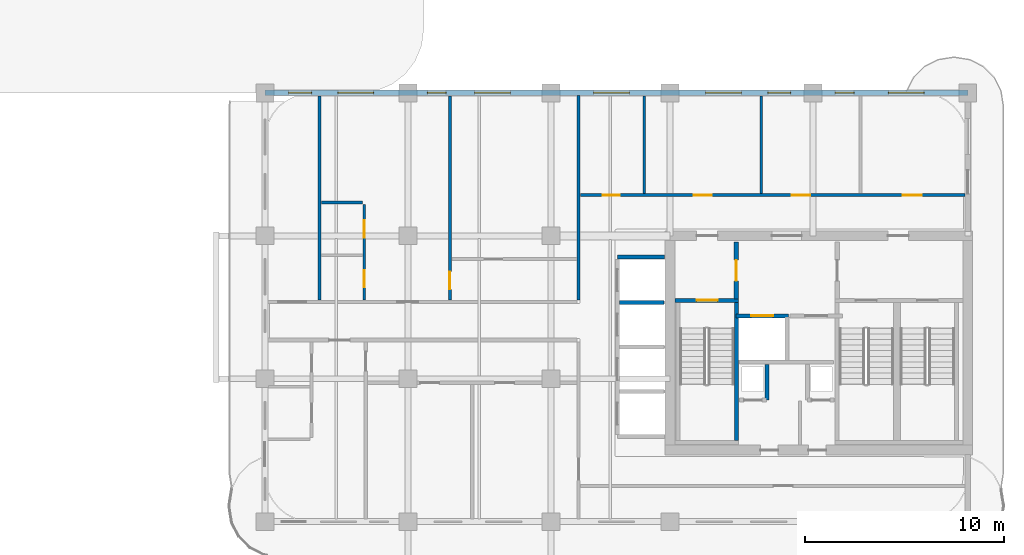
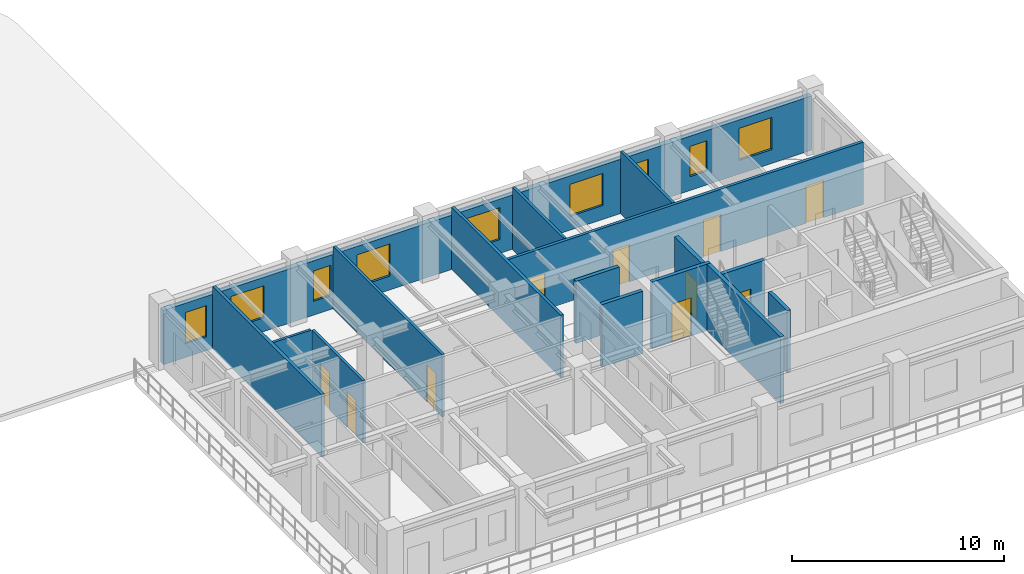
# One storey, part 4 of 8: 16 walls, 10 doors, 9 windows, 19 openings.
"""IFC4 building model written with IfcOpenShell, lengths in metres."""

from ifc_helpers import new_model, si_unit, derived_unit, direction, frame, frame_2d, origin, place, context, subcontext, project, spatial, rectangle, extrude, source, transform, mapped, material, layer, layer_set, type_object, type_shapes, element, fill, save


model = new_model("IFC4")

# Units and contexts
model_context = context("Model", 3, precision=1e-05, world=origin(), true_north=direction((0.0, 1.0)))
body_context = subcontext(model_context, "Body", "Model", "MODEL_VIEW")
ifc_project = project(units=[si_unit("LENGTHUNIT", "METRE"), si_unit("AREAUNIT", "SQUARE_METRE"), si_unit("VOLUMEUNIT", "CUBIC_METRE"), si_unit("PLANEANGLEUNIT", "RADIAN"), si_unit("MASSUNIT", "GRAM", prefix="KILO"), si_unit("THERMODYNAMICTEMPERATUREUNIT", "KELVIN"), si_unit("POWERUNIT", "WATT"), derived_unit("THERMALTRANSMITTANCEUNIT", [(si_unit("POWERUNIT", "WATT"), 1), (si_unit("AREAUNIT", "SQUARE_METRE"), -1), (si_unit("THERMODYNAMICTEMPERATUREUNIT", "KELVIN"), -1)])], contexts=[model_context])

# Site, building, storey
site_placement = place(None, origin())
site = spatial("IfcSite", under=ifc_project, at=site_placement, CompositionType="ELEMENT")
building_placement = place(site_placement, origin())
building = spatial("IfcBuilding", under=site, at=building_placement, Name="Zahravan Archway Hotel and Residences", CompositionType="ELEMENT")
storey_placement = place(building_placement, frame((0.0, 0.0, 213.449951171875)))
storey = spatial("IfcBuildingStorey", under=building, at=storey_placement, Name="L53", CompositionType="ELEMENT", Elevation=213.449951171875)

# Wall, openings, windows
ifc_material_1 = material(Name="Honed Red-Ochre Sandstone & Insulated Block", Category="masonry")
ifc_layer_1 = layer(ifc_material_1, 0.280029296875, Name="Honed Red-Ochre Sandstone & Insulated Block", Category="masonry")
ifc_layer_set_1 = layer_set([ifc_layer_1], Name="Honed Red-Ochre Sandstone & Insulated Block")
wall_type_1 = type_object("IfcWallType", Name="EW-LOG-280", PredefinedType="SOLIDWALL", material=ifc_layer_set_1)
wall_1_placement = place(storey_placement, frame((14.39990234375, 21.60009765625, 0.0), z_axis=(0.0, 0.0, 1.0), x_axis=(1.0, 0.0, 0.0)))
wall_1 = element("IfcWall", 1, at=wall_1_placement, inside=storey, type_object=wall_type_1, Name="L53 Exterior Sandstone Wall WA-N", PredefinedType="SOLIDWALL", context=body_context, shape_type="SweptSolid", body=[
    extrude(rectangle(XDim=35.400146484375, YDim=0.280029296875, at=frame_2d((17.7001953125, 0.0))), origin(), (0.0, 0.0, 1.0), 3.135009765625),
])
opening_1_placement = place(wall_1_placement, frame((1.196044921875, 0.0, 0.800048828125)))
opening_1 = element("IfcOpeningElement", 2, at=opening_1_placement, cuts=wall_1, Name="Opening W-05", PredefinedType="OPENING", context=body_context, shape_type="SweptSolid", body=[
    extrude(rectangle(XDim=1.14990234375, YDim=1.800048828125, at=frame_2d((0.574951171875, 0.89990234375))), frame((0.0, 0.14990234375, 0.0), z_axis=(0.0, -1.0, 0.0), x_axis=(1.0, 0.0, 0.0)), (0.0, 0.0, 1.0), 0.300048828125),
])
opening_2_placement = place(wall_1_placement, frame((3.678955078125, 0.0, 0.800048828125)))
opening_2 = element("IfcOpeningElement", 3, at=opening_2_placement, cuts=wall_1, Name="Opening W-02", PredefinedType="OPENING", context=body_context, shape_type="SweptSolid", body=[
    extrude(rectangle(XDim=1.800048828125, YDim=1.85009765625, at=frame_2d((0.89990234375, 0.925048828125))), frame((0.0, 0.14990234375, 0.0), z_axis=(0.0, -1.0, 0.0), x_axis=(1.0, 0.0, 0.0)), (0.0, 0.0, 1.0), 0.300048828125),
])
opening_3_placement = place(wall_1_placement, frame((8.180908203125, 0.0, 0.800048828125)))
opening_3 = element("IfcOpeningElement", 4, at=opening_3_placement, cuts=wall_1, Name="Opening W-04", PredefinedType="OPENING", context=body_context, shape_type="SweptSolid", body=[
    extrude(rectangle(XDim=0.949951171875, YDim=1.75, at=frame_2d((0.47509765625, 0.875))), frame((0.0, 0.14990234375, 0.0), z_axis=(0.0, -1.0, 0.0), x_axis=(1.0, 0.0, 0.0)), (0.0, 0.0, 1.0), 0.300048828125),
])
opening_4_placement = place(wall_1_placement, frame((10.56396484375, 0.0, 0.800048828125)))
opening_4 = element("IfcOpeningElement", 5, at=opening_4_placement, cuts=wall_1, Name="Opening W-02", PredefinedType="OPENING", context=body_context, shape_type="SweptSolid", body=[
    extrude(rectangle(XDim=1.800048828125, YDim=1.85009765625, at=frame_2d((0.89990234375, 0.925048828125))), frame((0.0, 0.14990234375, 0.0), z_axis=(0.0, -1.0, 0.0), x_axis=(1.0, 0.0, 0.0)), (0.0, 0.0, 1.0), 0.300048828125),
])
opening_5_placement = place(wall_1_placement, frame((16.551025390625, 0.0, 0.800048828125)))
opening_5 = element("IfcOpeningElement", 6, at=opening_5_placement, cuts=wall_1, Name="Opening W-02", PredefinedType="OPENING", context=body_context, shape_type="SweptSolid", body=[
    extrude(rectangle(XDim=1.800048828125, YDim=1.85009765625, at=frame_2d((0.89990234375, 0.925048828125))), frame((0.0, 0.14990234375, 0.0), z_axis=(0.0, -1.0, 0.0), x_axis=(1.0, 0.0, 0.0)), (0.0, 0.0, 1.0), 0.300048828125),
])
opening_6_placement = place(wall_1_placement, frame((22.196044921875, 0.0, 0.800048828125)))
opening_6 = element("IfcOpeningElement", 7, at=opening_6_placement, cuts=wall_1, Name="Opening W-02", PredefinedType="OPENING", context=body_context, shape_type="SweptSolid", body=[
    extrude(rectangle(XDim=1.800048828125, YDim=1.85009765625, at=frame_2d((0.89990234375, 0.925048828125))), frame((0.0, 0.14990234375, 0.0), z_axis=(0.0, -1.0, 0.0), x_axis=(1.0, 0.0, 0.0)), (0.0, 0.0, 1.0), 0.300048828125),
])
opening_7_placement = place(wall_1_placement, frame((25.3291015625, 0.0, 0.800048828125)))
opening_7 = element("IfcOpeningElement", 8, at=opening_7_placement, cuts=wall_1, Name="Opening W-05", PredefinedType="OPENING", context=body_context, shape_type="SweptSolid", body=[
    extrude(rectangle(XDim=1.14990234375, YDim=1.800048828125, at=frame_2d((0.574951171875, 0.89990234375))), frame((0.0, 0.14990234375, 0.0), z_axis=(0.0, -1.0, 0.0), x_axis=(1.0, 0.0, 0.0)), (0.0, 0.0, 1.0), 0.300048828125),
])
opening_8_placement = place(wall_1_placement, frame((28.720947265625, 0.0, 0.800048828125)))
opening_8 = element("IfcOpeningElement", 9, at=opening_8_placement, cuts=wall_1, Name="Opening W-04", PredefinedType="OPENING", context=body_context, shape_type="SweptSolid", body=[
    extrude(rectangle(XDim=0.949951171875, YDim=1.75, at=frame_2d((0.47509765625, 0.875))), frame((0.0, 0.14990234375, 0.0), z_axis=(0.0, -1.0, 0.0), x_axis=(1.0, 0.0, 0.0)), (0.0, 0.0, 1.0), 0.300048828125),
])
opening_9_placement = place(wall_1_placement, frame((31.404052734375, 0.0, 0.800048828125)))
opening_9 = element("IfcOpeningElement", 10, at=opening_9_placement, cuts=wall_1, Name="Opening W-02", PredefinedType="OPENING", context=body_context, shape_type="SweptSolid", body=[
    extrude(rectangle(XDim=1.800048828125, YDim=1.85009765625, at=frame_2d((0.89990234375, 0.925048828125))), frame((0.0, 0.14990234375, 0.0), z_axis=(0.0, -1.0, 0.0), x_axis=(1.0, 0.0, 0.0)), (0.0, 0.0, 1.0), 0.300048828125),
])
ifc_material_2 = material(Name="Bronze-Anodized Thermal-Break Aluminium & Low-E Glass", Category="aluminium")
window_type_1 = type_object("IfcWindowType", Name="WIN-NAR-950", PartitioningType="SINGLE_PANEL", PredefinedType="WINDOW", material=ifc_material_2)
shared_shape_1 = source(origin(), body_context, "Body", "SweptSolid", [
    extrude(rectangle(XDim=0.949951171875, YDim=1.75, at=frame_2d((0.47509765625, 0.875))), frame((0.0, 0.030029296875, 0.0), z_axis=(0.0, -1.0, 0.0), x_axis=(1.0, 0.0, 0.0)), (0.0, 0.0, 1.0), 0.06005859375),
])
type_shapes(window_type_1, [shared_shape_1])
window_1_placement = place(opening_3_placement, origin())
window_1 = element("IfcWindow", 11, at=window_1_placement, inside=storey, type_object=window_type_1, Name="L53 Loggia Window 13", OverallHeight=1.75, OverallWidth=0.949951171875, PartitioningType="SINGLE_PANEL", PredefinedType="WINDOW", context=body_context, shape_type="MappedRepresentation", body=[
    mapped(shared_shape_1, transform((0.0, 0.0, 0.0), scale=1.0)),
])
fill(opening_3, window_1)
window_2_placement = place(opening_8_placement, origin())
window_2 = element("IfcWindow", 12, at=window_2_placement, inside=storey, type_object=window_type_1, Name="L53 Loggia Window 18", OverallHeight=1.75, OverallWidth=0.949951171875, PartitioningType="SINGLE_PANEL", PredefinedType="WINDOW", context=body_context, shape_type="MappedRepresentation", body=[
    mapped(shared_shape_1, transform((0.0, 0.0, 0.0), scale=1.0)),
])
fill(opening_8, window_2)
window_type_2 = type_object("IfcWindowType", Name="WIN-TWR-1800", PartitioningType="DOUBLE_PANEL_VERTICAL", PredefinedType="WINDOW", material=ifc_material_2)
shared_shape_2 = source(origin(), body_context, "Body", "SweptSolid", [
    extrude(rectangle(XDim=1.800048828125, YDim=1.85009765625, at=frame_2d((0.89990234375, 0.925048828125))), frame((0.0, 0.030029296875, 0.0), z_axis=(0.0, -1.0, 0.0), x_axis=(1.0, 0.0, 0.0)), (0.0, 0.0, 1.0), 0.06005859375),
])
type_shapes(window_type_2, [shared_shape_2])
window_3_placement = place(opening_2_placement, origin())
window_3 = element("IfcWindow", 13, at=window_3_placement, inside=storey, type_object=window_type_2, Name="L53 Loggia Window 12", OverallHeight=1.85009765625, OverallWidth=1.800048828125, PartitioningType="DOUBLE_PANEL_VERTICAL", PredefinedType="WINDOW", context=body_context, shape_type="MappedRepresentation", body=[
    mapped(shared_shape_2, transform((0.0, 0.0, 0.0), scale=1.0)),
])
fill(opening_2, window_3)
window_4_placement = place(opening_4_placement, origin())
window_4 = element("IfcWindow", 14, at=window_4_placement, inside=storey, type_object=window_type_2, Name="L53 Loggia Window 14", OverallHeight=1.85009765625, OverallWidth=1.800048828125, PartitioningType="DOUBLE_PANEL_VERTICAL", PredefinedType="WINDOW", context=body_context, shape_type="MappedRepresentation", body=[
    mapped(shared_shape_2, transform((0.0, 0.0, 0.0), scale=1.0)),
])
fill(opening_4, window_4)
window_5_placement = place(opening_5_placement, origin())
window_5 = element("IfcWindow", 15, at=window_5_placement, inside=storey, type_object=window_type_2, Name="L53 Loggia Window 15", OverallHeight=1.85009765625, OverallWidth=1.800048828125, PartitioningType="DOUBLE_PANEL_VERTICAL", PredefinedType="WINDOW", context=body_context, shape_type="MappedRepresentation", body=[
    mapped(shared_shape_2, transform((0.0, 0.0, 0.0), scale=1.0)),
])
fill(opening_5, window_5)
window_6_placement = place(opening_6_placement, origin())
window_6 = element("IfcWindow", 16, at=window_6_placement, inside=storey, type_object=window_type_2, Name="L53 Loggia Window 16", OverallHeight=1.85009765625, OverallWidth=1.800048828125, PartitioningType="DOUBLE_PANEL_VERTICAL", PredefinedType="WINDOW", context=body_context, shape_type="MappedRepresentation", body=[
    mapped(shared_shape_2, transform((0.0, 0.0, 0.0), scale=1.0)),
])
fill(opening_6, window_6)
window_7_placement = place(opening_9_placement, origin())
window_7 = element("IfcWindow", 17, at=window_7_placement, inside=storey, type_object=window_type_2, Name="L53 Loggia Window 19", OverallHeight=1.85009765625, OverallWidth=1.800048828125, PartitioningType="DOUBLE_PANEL_VERTICAL", PredefinedType="WINDOW", context=body_context, shape_type="MappedRepresentation", body=[
    mapped(shared_shape_2, transform((0.0, 0.0, 0.0), scale=1.0)),
])
fill(opening_9, window_7)
window_type_3 = type_object("IfcWindowType", Name="WIN-TWR-1150", PartitioningType="SINGLE_PANEL", PredefinedType="WINDOW", material=ifc_material_2)
shared_shape_3 = source(origin(), body_context, "Body", "SweptSolid", [
    extrude(rectangle(XDim=1.14990234375, YDim=1.800048828125, at=frame_2d((0.574951171875, 0.89990234375))), frame((0.0, 0.030029296875, 0.0), z_axis=(0.0, -1.0, 0.0), x_axis=(1.0, 0.0, 0.0)), (0.0, 0.0, 1.0), 0.06005859375),
])
type_shapes(window_type_3, [shared_shape_3])
window_8_placement = place(opening_1_placement, origin())
window_8 = element("IfcWindow", 18, at=window_8_placement, inside=storey, type_object=window_type_3, Name="L53 Loggia Window 11", OverallHeight=1.800048828125, OverallWidth=1.14990234375, PartitioningType="SINGLE_PANEL", PredefinedType="WINDOW", context=body_context, shape_type="MappedRepresentation", body=[
    mapped(shared_shape_3, transform((0.0, 0.0, 0.0), scale=1.0)),
])
fill(opening_1, window_8)
window_9_placement = place(opening_7_placement, origin())
window_9 = element("IfcWindow", 19, at=window_9_placement, inside=storey, type_object=window_type_3, Name="L53 Loggia Window 17", OverallHeight=1.800048828125, OverallWidth=1.14990234375, PartitioningType="SINGLE_PANEL", PredefinedType="WINDOW", context=body_context, shape_type="MappedRepresentation", body=[
    mapped(shared_shape_3, transform((0.0, 0.0, 0.0), scale=1.0)),
])
fill(opening_7, window_9)

# Wall, opening, door
ifc_material_3 = material(Name="Fire-Rated Gypsum & Concrete Block", Category="concrete")
ifc_layer_2 = layer(ifc_material_3, 0.219970703125, Name="Fire-Rated Gypsum & Concrete Block", Category="concrete")
ifc_layer_set_2 = layer_set([ifc_layer_2], Name="Fire-Rated Gypsum & Concrete Block")
wall_type_2 = type_object("IfcWallType", Name="PW-COMP-220", PredefinedType="PARTITIONING", material=ifc_layer_set_2)
wall_2_placement = place(storey_placement, frame((38.139892578125, 11.219970703125, 0.0), z_axis=(0.0, 0.0, 1.0), x_axis=(0.0, 1.0, 0.0)))
wall_2 = element("IfcWall", 20, at=wall_2_placement, inside=storey, type_object=wall_type_2, Name="L53 Partition CA-LOBW", PredefinedType="PARTITIONING", context=body_context, shape_type="SweptSolid", body=[
    extrude(rectangle(XDim=2.860107421875, YDim=0.219970703125, at=frame_2d((1.43017578125, 0.0))), origin(), (0.0, 0.0, 1.0), 3.60009765625),
])
opening_10_placement = place(wall_2_placement, frame((0.905029296875, 0.0, 0.0)))
opening_10 = element("IfcOpeningElement", 21, at=opening_10_placement, cuts=wall_2, Name="Opening FD-L2", PredefinedType="OPENING", context=body_context, shape_type="SweptSolid", body=[
    extrude(rectangle(XDim=1.050048828125, YDim=2.14990234375, at=frame_2d((0.52490234375, 1.074951171875))), frame((0.0, 0.1201171875, 0.0), z_axis=(0.0, -1.0, 0.0), x_axis=(1.0, 0.0, 0.0)), (0.0, 0.0, 1.0), 0.239990234375),
])
ifc_material_4 = material(Name="Fire-Rated Painted Steel", Category="steel")
door_type_1 = type_object("IfcDoorType", Name="FD-LOBBY-1100", OperationType="NOTDEFINED", PredefinedType="DOOR", material=ifc_material_4)
shared_shape_4 = source(origin(), body_context, "Body", "SweptSolid", [
    extrude(rectangle(XDim=1.050048828125, YDim=2.14990234375, at=frame_2d((0.52490234375, 1.074951171875))), frame((0.0, 0.02490234375, 0.0), z_axis=(0.0, -1.0, 0.0), x_axis=(1.0, 0.0, 0.0)), (0.0, 0.0, 1.0), 0.050048828125),
])
type_shapes(door_type_1, [shared_shape_4])
door_1_placement = place(opening_10_placement, origin())
door_1 = element("IfcDoor", 22, at=door_1_placement, inside=storey, type_object=door_type_1, Name="L53 Core A West Stair to FSAE Lobby Door", OperationType="SINGLE_SWING_LEFT", OverallHeight=2.14990234375, OverallWidth=1.050048828125, PredefinedType="DOOR", context=body_context, shape_type="MappedRepresentation", body=[
    mapped(shared_shape_4, transform((0.0, 0.0, 0.0), scale=1.0)),
])
fill(opening_10, door_1)

# Wall
ifc_layer_3 = layer(ifc_material_3, 0.159912109375, Name="Fire-Rated Gypsum & Concrete Block", Category="concrete")
ifc_layer_set_3 = layer_set([ifc_layer_3], Name="Fire-Rated Gypsum & Concrete Block")
wall_type_3 = type_object("IfcWallType", Name="PW-CORR-160", PredefinedType="PARTITIONING", material=ifc_layer_set_3)
wall_3_placement = place(storey_placement, frame((30.199951171875, 11.159912109375, 0.0), z_axis=(0.0, 0.0, 1.0), x_axis=(0.0, 1.0, 0.0)))
element("IfcWall", 23, at=wall_3_placement, inside=storey, type_object=wall_type_3, Name="L53 Partition WA-FW", PredefinedType="PARTITIONING", context=body_context, shape_type="SweptSolid", body=[
    extrude(rectangle(XDim=10.300048828125, YDim=0.159912109375, at=frame_2d((5.14990234375, 0.0))), origin(), (0.0, 0.0, 1.0), 3.60009765625),
])

# Wall, openings, doors
wall_4_placement = place(storey_placement, frame((30.2900390625, 16.449951171875, 0.0), z_axis=(0.0, 0.0, 1.0), x_axis=(1.0, 0.0, 0.0)))
wall_4 = element("IfcWall", 24, at=wall_4_placement, inside=storey, type_object=wall_type_3, Name="L53 Partition WA-FN", PredefinedType="PARTITIONING", context=body_context, shape_type="SweptSolid", body=[
    extrude(rectangle(XDim=19.369873046875, YDim=0.159912109375, at=frame_2d((9.68505859375, 0.0))), origin(), (0.0, 0.0, 1.0), 3.60009765625),
])
opening_11_placement = place(wall_4_placement, frame((1.135009765625, 0.0, 0.0)))
opening_11 = element("IfcOpeningElement", 25, at=opening_11_placement, cuts=wall_4, Name="Opening D-B1", PredefinedType="OPENING", context=body_context, shape_type="SweptSolid", body=[
    extrude(rectangle(XDim=0.85009765625, YDim=2.10009765625, at=frame_2d((0.425048828125, 1.050048828125))), frame((0.0, 0.08984375, 0.0), z_axis=(0.0, -1.0, 0.0), x_axis=(1.0, 0.0, 0.0)), (0.0, 0.0, 1.0), 0.179931640625),
])
opening_12_placement = place(wall_4_placement, frame((5.7099609375, 0.0, 0.0)))
opening_12 = element("IfcOpeningElement", 26, at=opening_12_placement, cuts=wall_4, Name="Opening D-I2", PredefinedType="OPENING", context=body_context, shape_type="SweptSolid", body=[
    extrude(rectangle(XDim=0.89990234375, YDim=2.14990234375, at=frame_2d((0.449951171875, 1.074951171875))), frame((0.0, 0.08984375, 0.0), z_axis=(0.0, -1.0, 0.0), x_axis=(1.0, 0.0, 0.0)), (0.0, 0.0, 1.0), 0.179931640625),
])
opening_13_placement = place(wall_4_placement, frame((10.635009765625, 0.0, 0.0)))
opening_13 = element("IfcOpeningElement", 27, at=opening_13_placement, cuts=wall_4, Name="Opening D-I1", PredefinedType="OPENING", context=body_context, shape_type="SweptSolid", body=[
    extrude(rectangle(XDim=0.949951171875, YDim=2.14990234375, at=frame_2d((0.47509765625, 1.074951171875))), frame((0.0, 0.08984375, 0.0), z_axis=(0.0, -1.0, 0.0), x_axis=(1.0, 0.0, 0.0)), (0.0, 0.0, 1.0), 0.179931640625),
])
opening_14_placement = place(wall_4_placement, frame((16.235107421875, 0.0, 0.0)))
opening_14 = element("IfcOpeningElement", 28, at=opening_14_placement, cuts=wall_4, Name="Opening D-I1", PredefinedType="OPENING", context=body_context, shape_type="SweptSolid", body=[
    extrude(rectangle(XDim=0.949951171875, YDim=2.14990234375, at=frame_2d((0.47509765625, 1.074951171875))), frame((0.0, 0.08984375, 0.0), z_axis=(0.0, -1.0, 0.0), x_axis=(1.0, 0.0, 0.0)), (0.0, 0.0, 1.0), 0.179931640625),
])
ifc_material_5 = material(Name="Hardwood Veneer Timber", Category="wood")
door_type_2 = type_object("IfcDoorType", Name="ID-BATH-850", OperationType="NOTDEFINED", PredefinedType="DOOR", material=ifc_material_5)
shared_shape_5 = source(origin(), body_context, "Body", "SweptSolid", [
    extrude(rectangle(XDim=0.85009765625, YDim=2.10009765625, at=frame_2d((0.425048828125, 1.050048828125))), frame((0.0, 0.02490234375, 0.0), z_axis=(0.0, -1.0, 0.0), x_axis=(1.0, 0.0, 0.0)), (0.0, 0.0, 1.0), 0.050048828125),
])
type_shapes(door_type_2, [shared_shape_5])
door_2_placement = place(opening_11_placement, origin())
door_2 = element("IfcDoor", 29, at=door_2_placement, inside=storey, type_object=door_type_2, Name="L53 Accessible WC Door", OperationType="SINGLE_SWING_LEFT", OverallHeight=2.10009765625, OverallWidth=0.85009765625, PredefinedType="DOOR", context=body_context, shape_type="MappedRepresentation", body=[
    mapped(shared_shape_5, transform((0.0, 0.0, 0.0), scale=1.0)),
])
fill(opening_11, door_2)
door_type_3 = type_object("IfcDoorType", Name="ID-INT-950", OperationType="NOTDEFINED", PredefinedType="DOOR", material=ifc_material_5)
shared_shape_6 = source(origin(), body_context, "Body", "SweptSolid", [
    extrude(rectangle(XDim=0.949951171875, YDim=2.14990234375, at=frame_2d((0.47509765625, 1.074951171875))), frame((0.0, 0.02490234375, 0.0), z_axis=(0.0, -1.0, 0.0), x_axis=(1.0, 0.0, 0.0)), (0.0, 0.0, 1.0), 0.050048828125),
])
type_shapes(door_type_3, [shared_shape_6])
door_3_placement = place(opening_13_placement, origin())
door_3 = element("IfcDoor", 30, at=door_3_placement, inside=storey, type_object=door_type_3, Name="L53 Boardroom Door", OperationType="SINGLE_SWING_LEFT", OverallHeight=2.14990234375, OverallWidth=0.949951171875, PredefinedType="DOOR", context=body_context, shape_type="MappedRepresentation", body=[
    mapped(shared_shape_6, transform((0.0, 0.0, 0.0), scale=1.0)),
])
fill(opening_13, door_3)
door_4_placement = place(opening_14_placement, origin())
door_4 = element("IfcDoor", 31, at=door_4_placement, inside=storey, type_object=door_type_3, Name="L53 Therapy Clinic Door", OperationType="SINGLE_SWING_RIGHT", OverallHeight=2.14990234375, OverallWidth=0.949951171875, PredefinedType="DOOR", context=body_context, shape_type="MappedRepresentation", body=[
    mapped(shared_shape_6, transform((0.0, 0.0, 0.0), scale=1.0)),
])
fill(opening_14, door_4)
door_type_4 = type_object("IfcDoorType", Name="ID-INT-900", OperationType="NOTDEFINED", PredefinedType="DOOR", material=ifc_material_5)
shared_shape_7 = source(origin(), body_context, "Body", "SweptSolid", [
    extrude(rectangle(XDim=0.89990234375, YDim=2.14990234375, at=frame_2d((0.449951171875, 1.074951171875))), frame((0.0, 0.02490234375, 0.0), z_axis=(0.0, -1.0, 0.0), x_axis=(1.0, 0.0, 0.0)), (0.0, 0.0, 1.0), 0.050048828125),
])
type_shapes(door_type_4, [shared_shape_7])
door_5_placement = place(opening_12_placement, origin())
door_5 = element("IfcDoor", 32, at=door_5_placement, inside=storey, type_object=door_type_4, Name="L53 Pantry Door", OperationType="SINGLE_SWING_RIGHT", OverallHeight=2.14990234375, OverallWidth=0.89990234375, PredefinedType="DOOR", context=body_context, shape_type="MappedRepresentation", body=[
    mapped(shared_shape_7, transform((0.0, 0.0, 0.0), scale=1.0)),
])
fill(opening_12, door_5)

# Walls
ifc_layer_4 = layer(ifc_material_3, 0.199951171875, Name="Fire-Rated Gypsum & Concrete Block", Category="concrete")
ifc_layer_set_4 = layer_set([ifc_layer_4], Name="Fire-Rated Gypsum & Concrete Block")
wall_type_4 = type_object("IfcWallType", Name="PW-SHAFT-200", PredefinedType="PARTITIONING", material=ifc_layer_set_4)
wall_5_placement = place(storey_placement, frame((39.679931640625, 6.1298828125, 0.0), z_axis=(0.0, 0.0, 1.0), x_axis=(0.0, 1.0, 0.0)))
element("IfcWall", 33, at=wall_5_placement, inside=storey, type_object=wall_type_4, Name="L53 Partition CA-SMKE", PredefinedType="PARTITIONING", context=body_context, shape_type="SweptSolid", body=[
    extrude(rectangle(XDim=1.7900390625, YDim=0.199951171875, at=frame_2d((0.89501953125, 0.0))), origin(), (0.0, 0.0, 1.0), 3.60009765625),
])
wall_6_placement = place(storey_placement, frame((32.159912109375, 13.320068359375, 0.0), z_axis=(0.0, 0.0, 1.0), x_axis=(1.0, 0.0, 0.0)))
element("IfcWall", 34, at=wall_6_placement, inside=storey, type_object=wall_type_4, Name="L53 Partition B3-N", PredefinedType="PARTITIONING", context=body_context, shape_type="SweptSolid", body=[
    extrude(rectangle(XDim=2.360107421875, YDim=0.199951171875, at=frame_2d((1.18017578125, 0.0))), origin(), (0.0, 0.0, 1.0), 3.60009765625),
])
wall_7_placement = place(storey_placement, frame((32.260009765625, 11.0400390625, 0.0), z_axis=(0.0, 0.0, 1.0), x_axis=(1.0, 0.0, 0.0)))
element("IfcWall", 35, at=wall_7_placement, inside=storey, type_object=wall_type_4, Name="L53 Partition B3-D", PredefinedType="PARTITIONING", context=body_context, shape_type="SweptSolid", body=[
    extrude(rectangle(XDim=2.22998046875, YDim=0.199951171875, at=frame_2d((1.114990234375, 0.0))), origin(), (0.0, 0.0, 1.0), 3.60009765625),
])

# Wall, opening, door
wall_8_placement = place(storey_placement, frame((38.1201171875, 10.3701171875, 0.0), z_axis=(0.0, 0.0, 1.0), x_axis=(1.0, 0.0, 0.0)))
wall_8 = element("IfcWall", 36, at=wall_8_placement, inside=storey, type_object=wall_type_4, Name="L53 Lift FL-1 Front Wall", PredefinedType="PARTITIONING", context=body_context, shape_type="SweptSolid", body=[
    extrude(rectangle(XDim=2.639892578125, YDim=0.199951171875, at=frame_2d((1.31982421875, 0.0))), origin(), (0.0, 0.0, 1.0), 3.60009765625),
])
opening_15_placement = place(wall_8_placement, frame((0.77001953125, 0.0, 0.0)))
opening_15 = element("IfcOpeningElement", 37, at=opening_15_placement, cuts=wall_8, Name="Opening LD", PredefinedType="OPENING", context=body_context, shape_type="SweptSolid", body=[
    extrude(rectangle(XDim=1.10009765625, YDim=2.199951171875, at=frame_2d((0.550048828125, 1.10009765625))), frame((0.0, 0.10986328125, 0.0), z_axis=(0.0, -1.0, 0.0), x_axis=(1.0, 0.0, 0.0)), (0.0, 0.0, 1.0), 0.219970703125),
])
ifc_material_6 = material(Name="Brushed Stainless Steel", Category="steel")
door_type_5 = type_object("IfcDoorType", Name="DR-LIFT-LD", OperationType="SLIDING_TO_LEFT", PredefinedType="DOOR", material=ifc_material_6)
shared_shape_8 = source(origin(), body_context, "Body", "SweptSolid", [
    extrude(rectangle(XDim=1.10009765625, YDim=2.199951171875, at=frame_2d((0.550048828125, 1.10009765625))), frame((0.0, 0.02490234375, 0.0), z_axis=(0.0, -1.0, 0.0), x_axis=(1.0, 0.0, 0.0)), (0.0, 0.0, 1.0), 0.050048828125),
])
type_shapes(door_type_5, [shared_shape_8])
door_6_placement = place(opening_15_placement, origin())
door_6 = element("IfcDoor", 38, at=door_6_placement, inside=storey, type_object=door_type_5, Name="L53 Lift FL-1 Sliding Landing Door", OperationType="SLIDING_TO_LEFT", OverallHeight=2.199951171875, OverallWidth=1.10009765625, PredefinedType="DOOR", context=body_context, shape_type="MappedRepresentation", body=[
    mapped(shared_shape_8, transform((0.0, 0.0, 0.0), scale=1.0)),
])
fill(opening_15, door_6)

ifc_material_7 = material(Name="Acoustic Stud Partition")
ifc_layer_5 = layer(ifc_material_7, 0.14990234375, Name="Acoustic Stud Partition")
ifc_layer_set_5 = layer_set([ifc_layer_5], Name="Acoustic Stud Partition")
wall_type_5 = type_object("IfcWallType", Name="PW-UNIT-150", PredefinedType="PARTITIONING", material=ifc_layer_set_5)
wall_9_placement = place(storey_placement, frame((23.719970703125, 11.159912109375, 0.0), z_axis=(0.0, 0.0, 1.0), x_axis=(0.0, 1.0, 0.0)))
wall_9 = element("IfcWall", 39, at=wall_9_placement, inside=storey, type_object=wall_type_5, Name="L53 Partition FL-N1-SP", PredefinedType="PARTITIONING", context=body_context, shape_type="SweptSolid", body=[
    extrude(rectangle(XDim=10.2919921875, YDim=0.14990234375, at=frame_2d((5.14599609375, 0.0))), origin(), (0.0, 0.0, 1.0), 3.60009765625),
])
opening_16_placement = place(wall_9_placement, frame((0.534912109375, 0.0, 0.0)))
opening_16 = element("IfcOpeningElement", 40, at=opening_16_placement, cuts=wall_9, Name="Opening D-I2", PredefinedType="OPENING", context=body_context, shape_type="SweptSolid", body=[
    extrude(rectangle(XDim=0.89990234375, YDim=2.14990234375, at=frame_2d((0.449951171875, 1.074951171875))), frame((0.0, 0.0849609375, 0.0), z_axis=(0.0, -1.0, 0.0), x_axis=(1.0, 0.0, 0.0)), (0.0, 0.0, 1.0), 0.169921875),
])
door_7_placement = place(opening_16_placement, origin())
door_7 = element("IfcDoor", 41, at=door_7_placement, inside=storey, type_object=door_type_4, Name="L53 Flat N1 Bedroom Hall Door", OperationType="SINGLE_SWING_RIGHT", OverallHeight=2.14990234375, OverallWidth=0.89990234375, PredefinedType="DOOR", context=body_context, shape_type="MappedRepresentation", body=[
    mapped(shared_shape_7, transform((0.0, 0.0, 0.0), scale=1.0)),
])
fill(opening_16, door_7)

# Walls
ifc_layer_6 = layer(ifc_material_7, 0.169921875, Name="Acoustic Stud Partition")
ifc_layer_set_6 = layer_set([ifc_layer_6], Name="Acoustic Stud Partition")
wall_type_6 = type_object("IfcWallType", Name="PW-UNIT-170", PredefinedType="PARTITIONING", material=ifc_layer_set_6)
wall_10_placement = place(storey_placement, frame((17.14990234375, 11.159912109375, 0.0), z_axis=(0.0, 0.0, 1.0), x_axis=(0.0, 1.0, 0.0)))
element("IfcWall", 42, at=wall_10_placement, inside=storey, type_object=wall_type_6, Name="L53 Partition WAN-N1", PredefinedType="PARTITIONING", context=body_context, shape_type="SweptSolid", body=[
    extrude(rectangle(XDim=10.2919921875, YDim=0.169921875, at=frame_2d((5.14599609375, 0.0))), origin(), (0.0, 0.0, 1.0), 3.60009765625),
])
ifc_material_8 = material(Name="Moisture-Resistant Blockwork", Category="masonry")
ifc_layer_7 = layer(ifc_material_8, 0.139892578125, Name="Moisture-Resistant Blockwork", Category="masonry")
ifc_layer_set_7 = layer_set([ifc_layer_7], Name="Moisture-Resistant Blockwork")
wall_type_7 = type_object("IfcWallType", Name="PW-WET-140", PredefinedType="PARTITIONING", material=ifc_layer_set_7)
for number, where, z_axis, x_axis, name in (
    (43, (33.5, 16.5400390625, 0.0), (0.0, 0.0, 1.0), (0.0, 1.0, 0.0), "L53 Partition NE2-1"),
    (44, (39.39990234375, 16.5400390625, 0.0), (0.0, 0.0, 1.0), (0.0, 1.0, 0.0), "L53 Partition NE2-2"),
):
    element("IfcWall", number, at=place(storey_placement, frame(where, z_axis=z_axis, x_axis=x_axis)), inside=storey, type_object=wall_type_7, Name=name, PredefinedType="PARTITIONING", context=body_context, shape_type="SweptSolid", body=[
        extrude(rectangle(XDim=4.911865234375, YDim=0.139892578125, at=frame_2d((2.4560546875, 0.0))), origin(), (0.0, 0.0, 1.0), 3.60009765625),
    ])

# Wall, openings, doors
wall_11_placement = place(storey_placement, frame((19.39990234375, 11.159912109375, 0.0), z_axis=(0.0, 0.0, 1.0), x_axis=(0.0, 1.0, 0.0)))
wall_11 = element("IfcWall", 45, at=wall_11_placement, inside=storey, type_object=wall_type_7, Name="L53 Partition FL-N1-BV", PredefinedType="PARTITIONING", context=body_context, shape_type="SweptSolid", body=[
    extrude(rectangle(XDim=4.820068359375, YDim=0.139892578125, at=frame_2d((2.41015625, 0.0))), origin(), (0.0, 0.0, 1.0), 3.60009765625),
])
opening_17_placement = place(wall_11_placement, frame((0.659912109375, 0.0, 0.0)))
opening_17 = element("IfcOpeningElement", 46, at=opening_17_placement, cuts=wall_11, Name="Opening D-B1", PredefinedType="OPENING", context=body_context, shape_type="SweptSolid", body=[
    extrude(rectangle(XDim=0.85009765625, YDim=2.10009765625, at=frame_2d((0.425048828125, 1.050048828125))), frame((0.0, 0.080078125, 0.0), z_axis=(0.0, -1.0, 0.0), x_axis=(1.0, 0.0, 0.0)), (0.0, 0.0, 1.0), 0.159912109375),
])
opening_18_placement = place(wall_11_placement, frame((3.135009765625, 0.0, 0.0)))
opening_18 = element("IfcOpeningElement", 47, at=opening_18_placement, cuts=wall_11, Name="Opening D-I2", PredefinedType="OPENING", context=body_context, shape_type="SweptSolid", body=[
    extrude(rectangle(XDim=0.89990234375, YDim=2.14990234375, at=frame_2d((0.449951171875, 1.074951171875))), frame((0.0, 0.080078125, 0.0), z_axis=(0.0, -1.0, 0.0), x_axis=(1.0, 0.0, 0.0)), (0.0, 0.0, 1.0), 0.159912109375),
])
door_8_placement = place(opening_17_placement, origin())
door_8 = element("IfcDoor", 48, at=door_8_placement, inside=storey, type_object=door_type_2, Name="L53 Flat N1 Bathroom Door", OperationType="SINGLE_SWING_LEFT", OverallHeight=2.10009765625, OverallWidth=0.85009765625, PredefinedType="DOOR", context=body_context, shape_type="MappedRepresentation", body=[
    mapped(shared_shape_5, transform((0.0, 0.0, 0.0), scale=1.0)),
])
fill(opening_17, door_8)
door_9_placement = place(opening_18_placement, origin())
door_9 = element("IfcDoor", 49, at=door_9_placement, inside=storey, type_object=door_type_4, Name="L53 Flat N1 Kitchen Door", OperationType="SINGLE_SWING_RIGHT", OverallHeight=2.14990234375, OverallWidth=0.89990234375, PredefinedType="DOOR", context=body_context, shape_type="MappedRepresentation", body=[
    mapped(shared_shape_7, transform((0.0, 0.0, 0.0), scale=1.0)),
])
fill(opening_18, door_9)

# Walls
wall_12_placement = place(storey_placement, frame((17.239990234375, 16.070068359375, 0.0), z_axis=(0.0, 0.0, 1.0), x_axis=(1.0, 0.0, 0.0)))
element("IfcWall", 50, at=wall_12_placement, inside=storey, type_object=wall_type_7, Name="L53 Partition FL-N1-KH", PredefinedType="PARTITIONING", context=body_context, shape_type="SweptSolid", body=[
    extrude(rectangle(XDim=2.070068359375, YDim=0.139892578125, at=frame_2d((1.03515625, 0.0))), origin(), (0.0, 0.0, 1.0), 3.60009765625),
])
ifc_material_9 = material(Name="Concrete C50/60", Category="concrete")
ifc_layer_8 = layer(ifc_material_9, 0.199951171875, Name="Concrete C50/60", Category="concrete")
ifc_layer_set_8 = layer_set([ifc_layer_8], Name="Concrete C50/60")
wall_type_8 = type_object("IfcWallType", Name="SW-STAIR-200", PredefinedType="SHEAR", material=ifc_layer_set_8)
wall_13_placement = place(storey_placement, frame((38.139892578125, 4.10009765625, 0.0), z_axis=(0.0, 0.0, 1.0), x_axis=(0.0, 1.0, 0.0)))
element("IfcWall", 51, at=wall_13_placement, inside=storey, type_object=wall_type_8, Name="L53 Stairwell RC Wall CA-SA1E", PredefinedType="SHEAR", context=body_context, shape_type="SweptSolid", body=[
    extrude(rectangle(XDim=6.949951171875, YDim=0.199951171875, at=frame_2d((3.47509765625, 0.0))), origin(), (0.0, 0.0, 1.0), 3.85009765625),
])

# Wall, opening, door
wall_14_placement = place(storey_placement, frame((35.050048828125, 11.14990234375, 0.0), z_axis=(0.0, 0.0, 1.0), x_axis=(1.0, 0.0, 0.0)))
wall_14 = element("IfcWall", 52, at=wall_14_placement, inside=storey, type_object=wall_type_8, Name="L53 Stairwell RC Wall CA-SA1N", PredefinedType="SHEAR", context=body_context, shape_type="SweptSolid", body=[
    extrude(rectangle(XDim=3.18994140625, YDim=0.199951171875, at=frame_2d((1.594970703125, 0.0))), origin(), (0.0, 0.0, 1.0), 3.85009765625),
])
opening_19_placement = place(wall_14_placement, frame((1.094970703125, 0.0, 0.0)))
opening_19 = element("IfcOpeningElement", 53, at=opening_19_placement, cuts=wall_14, Name="Opening FD-S1", PredefinedType="OPENING", context=body_context, shape_type="SweptSolid", body=[
    extrude(rectangle(XDim=1.050048828125, YDim=2.199951171875, at=frame_2d((0.52490234375, 1.10009765625))), frame((0.0, 0.10986328125, 0.0), z_axis=(0.0, -1.0, 0.0), x_axis=(1.0, 0.0, 0.0)), (0.0, 0.0, 1.0), 0.219970703125),
])
door_type_6 = type_object("IfcDoorType", Name="FD-STAIR-1100", OperationType="NOTDEFINED", PredefinedType="DOOR", material=ifc_material_4)
shared_shape_9 = source(origin(), body_context, "Body", "SweptSolid", [
    extrude(rectangle(XDim=1.050048828125, YDim=2.199951171875, at=frame_2d((0.52490234375, 1.10009765625))), frame((0.0, 0.02490234375, 0.0), z_axis=(0.0, -1.0, 0.0), x_axis=(1.0, 0.0, 0.0)), (0.0, 0.0, 1.0), 0.050048828125),
])
type_shapes(door_type_6, [shared_shape_9])
door_10_placement = place(opening_19_placement, origin())
door_10 = element("IfcDoor", 54, at=door_10_placement, inside=storey, type_object=door_type_6, Name="L53 Stair ST-A1 Door", OperationType="SINGLE_SWING_RIGHT", OverallHeight=2.199951171875, OverallWidth=1.050048828125, PredefinedType="DOOR", context=body_context, shape_type="MappedRepresentation", body=[
    mapped(shared_shape_9, transform((0.0, 0.0, 0.0), scale=1.0)),
])
fill(opening_19, door_10)

save(model, "model.ifc")
